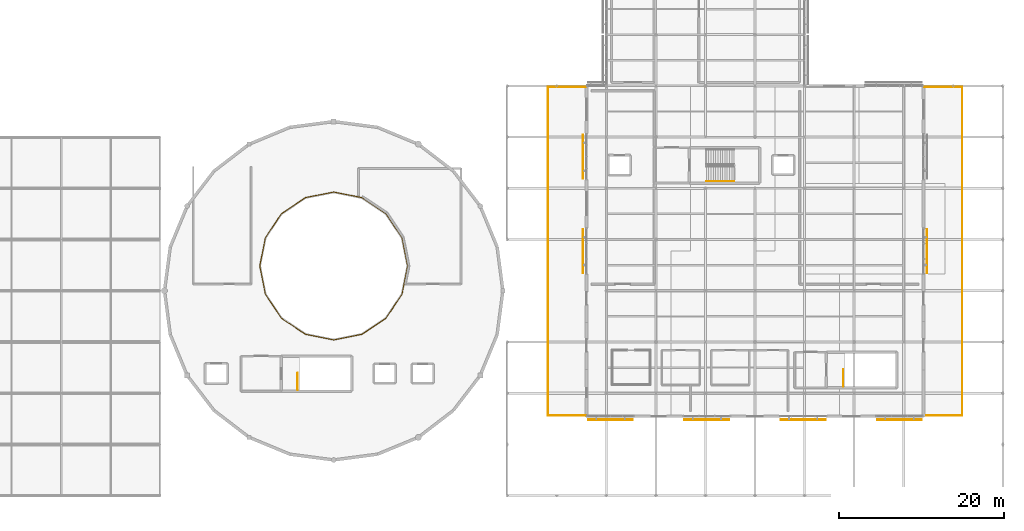
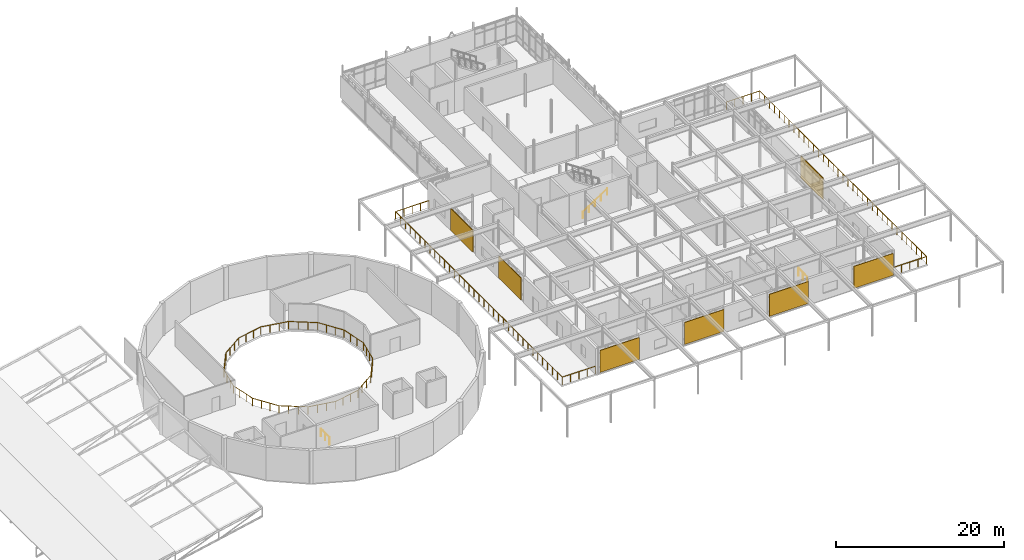
# One storey, part 45 of 48: 7 shading devices, 6 railings.
"""IFC4 building model written with IfcOpenShell, lengths in metres."""

from ifc_helpers import new_model, si_unit, direction, frame, origin, origin_2d, place, context, subcontext, project, spatial, rectangle, circle, extrude, material, layer, layer_set, type_object, element, save


model = new_model("IFC4")

# Units and contexts
model_context = context("Model", 3, precision=1e-05, world=origin(), true_north=direction((0.0, 1.0)))
body_context = subcontext(model_context, "Body", "Model", "MODEL_VIEW")
ifc_project = project(units=[si_unit("LENGTHUNIT", "METRE"), si_unit("AREAUNIT", "SQUARE_METRE"), si_unit("VOLUMEUNIT", "CUBIC_METRE"), si_unit("PLANEANGLEUNIT", "RADIAN"), si_unit("MASSUNIT", "GRAM", prefix="KILO")], contexts=[model_context])

# Site, building, storey
site_placement = place(None, origin())
site = spatial("IfcSite", under=ifc_project, at=site_placement, CompositionType="ELEMENT")
building_placement = place(site_placement, origin())
building = spatial("IfcBuilding", under=site, at=building_placement, Name="Mirzam Square Science Centre", CompositionType="ELEMENT")
storey_placement = place(building_placement, frame((0.0, 0.0, 20.39990234375)))
storey = spatial("IfcBuildingStorey", under=building, at=storey_placement, Name="L04", CompositionType="ELEMENT", Elevation=20.39990234375)

# Railings
ifc_material_1 = material(Name="Bronze-Anodised Architectural Balustrade", Category="aluminium")
railing_type_1 = type_object("IfcRailingType", Name="RL-INT-GUARD-1100", PredefinedType="GUARDRAIL", material=ifc_material_1)
railing_1_placement = place(storey_placement, frame((76.639892578125, 50.0, 0.0)))
element("IfcRailing", 1, at=railing_1_placement, inside=storey, type_object=railing_type_1, Name="L04 ST-03 top well guard 1", PredefinedType="GUARDRAIL", context=body_context, shape_type="SweptSolid", body=[
    extrude(circle(Radius=0.02392578125, at=origin_2d()), frame((0.0, 0.0, 1.076171875), z_axis=(0.0, 1.0, 0.0), x_axis=(-1.0, 0.0, 0.0)), (0.0, 0.0, 1.0), 2.0400390625),
    extrude(circle(Radius=0.02099609375, at=origin_2d()), origin(), (0.0, 0.0, 1.0), 1.052001953125),
    extrude(circle(Radius=0.02099609375, at=origin_2d()), frame((0.0, 1.02001953125, 0.0)), (0.0, 0.0, 1.0), 1.052001953125),
    extrude(circle(Radius=0.02099609375, at=origin_2d()), frame((0.0, 2.0400390625, 0.0)), (0.0, 0.0, 1.0), 1.052001953125),
])
railing_2_placement = place(storey_placement, frame((142.679931640625, 50.39990234375, 0.0)))
element("IfcRailing", 2, at=railing_2_placement, inside=storey, type_object=railing_type_1, Name="L04 ST-05 top well guard 1", PredefinedType="GUARDRAIL", context=body_context, shape_type="SweptSolid", body=[
    extrude(circle(Radius=0.02392578125, at=origin_2d()), frame((0.0, 0.0, 1.076171875), z_axis=(0.0, 1.0, 0.0), x_axis=(-1.0, 0.0, 0.0)), (0.0, 0.0, 1.0), 2.080078125),
    extrude(circle(Radius=0.02099609375, at=origin_2d()), origin(), (0.0, 0.0, 1.0), 1.052001953125),
    extrude(circle(Radius=0.02099609375, at=origin_2d()), frame((0.0, 1.0400390625, 0.0)), (0.0, 0.0, 1.0), 1.052001953125),
    extrude(circle(Radius=0.02099609375, at=origin_2d()), frame((0.0, 2.080078125, 0.0)), (0.0, 0.0, 1.0), 1.052001953125),
])
railing_3_placement = place(storey_placement, frame((89.949951171875, 65.0, 0.0)))
element("IfcRailing", 3, at=railing_3_placement, inside=storey, type_object=railing_type_1, Name="L04 rotunda oculus guard", PredefinedType="GUARDRAIL", context=body_context, shape_type="SweptSolid", body=[
    extrude(circle(Radius=0.02392578125, at=origin_2d()), frame((0.0, 0.0, 1.09619140625), z_axis=(-0.195053898644, 0.980792524759, 0.0), x_axis=(-0.980792524759, -0.195053898644, 0.0)), (0.0, 0.0, 1.0), 3.4921875),
    extrude(circle(Radius=0.02392578125, at=origin_2d()), frame((-0.68115234375, 3.425048828125, 1.09619140625), z_axis=(-0.555587219906, 0.831458261777, 0.0), x_axis=(-0.831458261777, -0.555587219906, 0.0)), (0.0, 0.0, 1.0), 3.4921875),
    extrude(circle(Radius=0.02392578125, at=origin_2d()), frame((-2.621337890625, 6.32861328125, 1.09619140625), z_axis=(-0.831458261777, 0.555587219906, 0.0), x_axis=(-0.555587219906, -0.831458261777, 0.0)), (0.0, 0.0, 1.0), 3.4921875),
    extrude(circle(Radius=0.02392578125, at=origin_2d()), frame((-5.52490234375, 8.268798828125, 1.09619140625), z_axis=(-0.980792524759, 0.195053898644, 0.0), x_axis=(-0.195053898644, -0.980792524759, 0.0)), (0.0, 0.0, 1.0), 3.4921875),
    extrude(circle(Radius=0.02392578125, at=origin_2d()), frame((-8.949951171875, 8.949951171875, 1.09619140625), z_axis=(-0.980792524759, -0.195053898644, 0.0), x_axis=(0.195053898644, -0.980792524759, 0.0)), (0.0, 0.0, 1.0), 3.4921875),
    extrude(circle(Radius=0.02392578125, at=origin_2d()), frame((-12.375, 8.268798828125, 1.09619140625), z_axis=(-0.831458261777, -0.555587219906, 0.0), x_axis=(0.555587219906, -0.831458261777, 0.0)), (0.0, 0.0, 1.0), 3.4921875),
    extrude(circle(Radius=0.02392578125, at=origin_2d()), frame((-15.278564453125, 6.32861328125, 1.09619140625), z_axis=(-0.555587219906, -0.831458261777, 0.0), x_axis=(0.831458261777, -0.555587219906, 0.0)), (0.0, 0.0, 1.0), 3.4921875),
    extrude(circle(Radius=0.02392578125, at=origin_2d()), frame((-17.21875, 3.425048828125, 1.09619140625), z_axis=(-0.195053898644, -0.980792524759, 0.0), x_axis=(0.980792524759, -0.195053898644, 0.0)), (0.0, 0.0, 1.0), 3.4921875),
    extrude(circle(Radius=0.02392578125, at=origin_2d()), frame((-17.89990234375, 0.0, 1.09619140625), z_axis=(0.195053898644, -0.980792524759, 0.0), x_axis=(0.980792524759, 0.195053898644, 0.0)), (0.0, 0.0, 1.0), 3.4921875),
    extrude(circle(Radius=0.02392578125, at=origin_2d()), frame((-17.21875, -3.425048828125, 1.09619140625), z_axis=(0.555587219906, -0.831458261777, 0.0), x_axis=(0.831458261777, 0.555587219906, 0.0)), (0.0, 0.0, 1.0), 3.4921875),
    extrude(circle(Radius=0.02392578125, at=origin_2d()), frame((-15.278564453125, -6.32861328125, 1.09619140625), z_axis=(0.831458261777, -0.555587219906, 0.0), x_axis=(0.555587219906, 0.831458261777, 0.0)), (0.0, 0.0, 1.0), 3.4921875),
    extrude(circle(Radius=0.02392578125, at=origin_2d()), frame((-12.375, -8.268798828125, 1.09619140625), z_axis=(0.980792524759, -0.195053898644, 0.0), x_axis=(0.195053898644, 0.980792524759, 0.0)), (0.0, 0.0, 1.0), 3.4921875),
    extrude(circle(Radius=0.02392578125, at=origin_2d()), frame((-8.949951171875, -8.949951171875, 1.09619140625), z_axis=(0.980792524759, 0.195053898644, 0.0), x_axis=(-0.195053898644, 0.980792524759, 0.0)), (0.0, 0.0, 1.0), 3.4921875),
    extrude(circle(Radius=0.02392578125, at=origin_2d()), frame((-5.52490234375, -8.268798828125, 1.09619140625), z_axis=(0.831458261777, 0.555587219906, 0.0), x_axis=(-0.555587219906, 0.831458261777, 0.0)), (0.0, 0.0, 1.0), 3.4921875),
    extrude(circle(Radius=0.02392578125, at=origin_2d()), frame((-2.621337890625, -6.32861328125, 1.09619140625), z_axis=(0.555587219906, 0.831458261777, 0.0), x_axis=(-0.831458261777, 0.555587219906, 0.0)), (0.0, 0.0, 1.0), 3.4921875),
    extrude(circle(Radius=0.02392578125, at=origin_2d()), frame((-0.68115234375, -3.425048828125, 1.09619140625), z_axis=(0.195045905488, 0.980794114355, 0.0), x_axis=(-0.980794114355, 0.195045905488, 0.0)), (0.0, 0.0, 1.0), 3.422119140625),
    extrude(circle(Radius=0.02099609375, at=origin_2d()), origin(), (0.0, 0.0, 1.0), 1.072021484375),
    extrude(circle(Radius=0.02099609375, at=origin_2d()), frame((-0.22705078125, 1.1416015625, 0.0)), (0.0, 0.0, 1.0), 1.072021484375),
    extrude(circle(Radius=0.02099609375, at=origin_2d()), frame((-0.4541015625, 2.283447265625, 0.0)), (0.0, 0.0, 1.0), 1.072021484375),
    extrude(circle(Radius=0.02099609375, at=origin_2d()), frame((-0.68115234375, 3.425048828125, 0.0)), (0.0, 0.0, 1.0), 1.072021484375),
    extrude(circle(Radius=0.02099609375, at=origin_2d()), frame((-1.327880859375, 4.392822265625, 0.0)), (0.0, 0.0, 1.0), 1.072021484375),
    extrude(circle(Radius=0.02099609375, at=origin_2d()), frame((-1.974609375, 5.36083984375, 0.0)), (0.0, 0.0, 1.0), 1.072021484375),
    extrude(circle(Radius=0.02099609375, at=origin_2d()), frame((-2.621337890625, 6.32861328125, 0.0)), (0.0, 0.0, 1.0), 1.072021484375),
    extrude(circle(Radius=0.02099609375, at=origin_2d()), frame((-3.589111328125, 6.975341796875, 0.0)), (0.0, 0.0, 1.0), 1.072021484375),
    extrude(circle(Radius=0.02099609375, at=origin_2d()), frame((-4.55712890625, 7.6220703125, 0.0)), (0.0, 0.0, 1.0), 1.072021484375),
    extrude(circle(Radius=0.02099609375, at=origin_2d()), frame((-5.52490234375, 8.268798828125, 0.0)), (0.0, 0.0, 1.0), 1.072021484375),
    extrude(circle(Radius=0.02099609375, at=origin_2d()), frame((-6.66650390625, 8.495849609375, 0.0)), (0.0, 0.0, 1.0), 1.072021484375),
    extrude(circle(Radius=0.02099609375, at=origin_2d()), frame((-7.808349609375, 8.722900390625, 0.0)), (0.0, 0.0, 1.0), 1.072021484375),
    extrude(circle(Radius=0.02099609375, at=origin_2d()), frame((-8.949951171875, 8.949951171875, 0.0)), (0.0, 0.0, 1.0), 1.072021484375),
    extrude(circle(Radius=0.02099609375, at=origin_2d()), frame((-10.091552734375, 8.722900390625, 0.0)), (0.0, 0.0, 1.0), 1.072021484375),
    extrude(circle(Radius=0.02099609375, at=origin_2d()), frame((-11.2333984375, 8.495849609375, 0.0)), (0.0, 0.0, 1.0), 1.072021484375),
    extrude(circle(Radius=0.02099609375, at=origin_2d()), frame((-12.375, 8.268798828125, 0.0)), (0.0, 0.0, 1.0), 1.072021484375),
    extrude(circle(Radius=0.02099609375, at=origin_2d()), frame((-13.3427734375, 7.6220703125, 0.0)), (0.0, 0.0, 1.0), 1.072021484375),
    extrude(circle(Radius=0.02099609375, at=origin_2d()), frame((-14.310791015625, 6.975341796875, 0.0)), (0.0, 0.0, 1.0), 1.072021484375),
    extrude(circle(Radius=0.02099609375, at=origin_2d()), frame((-15.278564453125, 6.32861328125, 0.0)), (0.0, 0.0, 1.0), 1.072021484375),
    extrude(circle(Radius=0.02099609375, at=origin_2d()), frame((-15.92529296875, 5.36083984375, 0.0)), (0.0, 0.0, 1.0), 1.072021484375),
    extrude(circle(Radius=0.02099609375, at=origin_2d()), frame((-16.572021484375, 4.392822265625, 0.0)), (0.0, 0.0, 1.0), 1.072021484375),
    extrude(circle(Radius=0.02099609375, at=origin_2d()), frame((-17.21875, 3.425048828125, 0.0)), (0.0, 0.0, 1.0), 1.072021484375),
    extrude(circle(Radius=0.02099609375, at=origin_2d()), frame((-17.44580078125, 2.283447265625, 0.0)), (0.0, 0.0, 1.0), 1.072021484375),
    extrude(circle(Radius=0.02099609375, at=origin_2d()), frame((-17.6728515625, 1.1416015625, 0.0)), (0.0, 0.0, 1.0), 1.072021484375),
    extrude(circle(Radius=0.02099609375, at=origin_2d()), frame((-17.89990234375, 0.0, 0.0)), (0.0, 0.0, 1.0), 1.072021484375),
    extrude(circle(Radius=0.02099609375, at=origin_2d()), frame((-17.6728515625, -1.1416015625, 0.0)), (0.0, 0.0, 1.0), 1.072021484375),
    extrude(circle(Radius=0.02099609375, at=origin_2d()), frame((-17.44580078125, -2.283447265625, 0.0)), (0.0, 0.0, 1.0), 1.072021484375),
    extrude(circle(Radius=0.02099609375, at=origin_2d()), frame((-17.21875, -3.425048828125, 0.0)), (0.0, 0.0, 1.0), 1.072021484375),
    extrude(circle(Radius=0.02099609375, at=origin_2d()), frame((-16.572021484375, -4.392822265625, 0.0)), (0.0, 0.0, 1.0), 1.072021484375),
    extrude(circle(Radius=0.02099609375, at=origin_2d()), frame((-15.92529296875, -5.36083984375, 0.0)), (0.0, 0.0, 1.0), 1.072021484375),
    extrude(circle(Radius=0.02099609375, at=origin_2d()), frame((-15.278564453125, -6.32861328125, 0.0)), (0.0, 0.0, 1.0), 1.072021484375),
    extrude(circle(Radius=0.02099609375, at=origin_2d()), frame((-14.310791015625, -6.975341796875, 0.0)), (0.0, 0.0, 1.0), 1.072021484375),
    extrude(circle(Radius=0.02099609375, at=origin_2d()), frame((-13.3427734375, -7.6220703125, 0.0)), (0.0, 0.0, 1.0), 1.072021484375),
    extrude(circle(Radius=0.02099609375, at=origin_2d()), frame((-12.375, -8.268798828125, 0.0)), (0.0, 0.0, 1.0), 1.072021484375),
    extrude(circle(Radius=0.02099609375, at=origin_2d()), frame((-11.2333984375, -8.495849609375, 0.0)), (0.0, 0.0, 1.0), 1.072021484375),
    extrude(circle(Radius=0.02099609375, at=origin_2d()), frame((-10.091552734375, -8.722900390625, 0.0)), (0.0, 0.0, 1.0), 1.072021484375),
    extrude(circle(Radius=0.02099609375, at=origin_2d()), frame((-8.949951171875, -8.949951171875, 0.0)), (0.0, 0.0, 1.0), 1.072021484375),
    extrude(circle(Radius=0.02099609375, at=origin_2d()), frame((-7.808349609375, -8.722900390625, 0.0)), (0.0, 0.0, 1.0), 1.072021484375),
    extrude(circle(Radius=0.02099609375, at=origin_2d()), frame((-6.66650390625, -8.495849609375, 0.0)), (0.0, 0.0, 1.0), 1.072021484375),
    extrude(circle(Radius=0.02099609375, at=origin_2d()), frame((-5.52490234375, -8.268798828125, 0.0)), (0.0, 0.0, 1.0), 1.072021484375),
    extrude(circle(Radius=0.02099609375, at=origin_2d()), frame((-4.55712890625, -7.6220703125, 0.0)), (0.0, 0.0, 1.0), 1.072021484375),
    extrude(circle(Radius=0.02099609375, at=origin_2d()), frame((-3.589111328125, -6.975341796875, 0.0)), (0.0, 0.0, 1.0), 1.072021484375),
    extrude(circle(Radius=0.02099609375, at=origin_2d()), frame((-2.621337890625, -6.32861328125, 0.0)), (0.0, 0.0, 1.0), 1.072021484375),
    extrude(circle(Radius=0.02099609375, at=origin_2d()), frame((-1.974609375, -5.36083984375, 0.0)), (0.0, 0.0, 1.0), 1.072021484375),
    extrude(circle(Radius=0.02099609375, at=origin_2d()), frame((-1.327880859375, -4.392822265625, 0.0)), (0.0, 0.0, 1.0), 1.072021484375),
    extrude(circle(Radius=0.02099609375, at=origin_2d()), frame((-0.68115234375, -3.425048828125, 0.0)), (0.0, 0.0, 1.0), 1.072021484375),
    extrude(circle(Radius=0.02099609375, at=origin_2d()), frame((-0.458740234375, -2.30615234375, 0.0)), (0.0, 0.0, 1.0), 1.072021484375),
    extrude(circle(Radius=0.02099609375, at=origin_2d()), frame((-0.236083984375, -1.1875, 0.0)), (0.0, 0.0, 1.0), 1.072021484375),
    extrude(circle(Radius=0.02099609375, at=origin_2d()), frame((-0.013671875, -0.068603515625, 0.0)), (0.0, 0.0, 1.0), 1.072021484375),
])
ifc_material_2 = material(Name="Brushed Bronze Tubular Handrail", Category="aluminium")
railing_type_2 = type_object("IfcRailingType", Name="RL-STAIR-HANDRAIL-900", PredefinedType="HANDRAIL", material=ifc_material_2)
railing_4_placement = place(storey_placement, frame((126.110107421875, 75.25, 0.38134765625)))
element("IfcRailing", 4, at=railing_4_placement, inside=storey, type_object=railing_type_2, Name="L04 ST-04 stair handrail 1", PredefinedType="HANDRAIL", context=body_context, shape_type="SweptSolid", body=[
    extrude(circle(Radius=0.02392578125, at=origin_2d()), frame((0.0, 0.0, 0.8759765625), z_axis=(0.834858096282, 0.0, 0.550465220583), x_axis=(0.0, 1.0, 0.0)), (0.0, 0.0, 1.0), 4.0244140625),
    extrude(circle(Radius=0.02099609375, at=origin_2d()), origin(), (0.0, 0.0, 1.0), 0.851806640625),
    extrude(circle(Radius=0.02099609375, at=origin_2d()), frame((0.83984375, 0.0, 0.5537109375)), (0.0, 0.0, 1.0), 0.851806640625),
    extrude(circle(Radius=0.02099609375, at=origin_2d()), frame((1.679931640625, 0.0, 1.107666015625)), (0.0, 0.0, 1.0), 0.851806640625),
    extrude(circle(Radius=0.02099609375, at=origin_2d()), frame((2.52001953125, 0.0, 1.66162109375)), (0.0, 0.0, 1.0), 0.851806640625),
    extrude(circle(Radius=0.02099609375, at=origin_2d()), frame((3.35986328125, 0.0, 2.21533203125)), (0.0, 0.0, 1.0), 0.851806640625),
])
railing_type_3 = type_object("IfcRailingType", Name="RL-TERR-GUARD-1100", PredefinedType="GUARDRAIL", material=ifc_material_1)
railing_5_placement = place(storey_placement, frame((111.52001953125, 46.919921875, 0.0)))
element("IfcRailing", 5, at=railing_5_placement, inside=storey, type_object=railing_type_3, Name="L04 west courtyard terrace guard", PredefinedType="GUARDRAIL", context=body_context, shape_type="SweptSolid", body=[
    extrude(circle(Radius=0.02392578125, at=origin_2d()), frame((0.0, 0.0, 1.09619140625), z_axis=(-1.0, 0.0, 0.0), x_axis=(0.0, -1.0, 0.0)), (0.0, 0.0, 1.0), 4.60009765625),
    extrude(circle(Radius=0.02392578125, at=origin_2d()), frame((-4.60009765625, 0.0, 1.09619140625), z_axis=(0.0, 1.0, 0.0), x_axis=(-1.0, 0.0, 0.0)), (0.0, 0.0, 1.0), 39.760009765625),
    extrude(circle(Radius=0.02392578125, at=origin_2d()), frame((-4.60009765625, 39.760009765625, 1.09619140625), z_axis=(1.0, 0.0, 0.0), x_axis=(0.0, 1.0, 0.0)), (0.0, 0.0, 1.0), 4.60009765625),
    extrude(circle(Radius=0.02099609375, at=origin_2d()), origin(), (0.0, 0.0, 1.0), 1.072021484375),
    extrude(circle(Radius=0.02099609375, at=origin_2d()), frame((-1.14990234375, 0.0, 0.0)), (0.0, 0.0, 1.0), 1.072021484375),
    extrude(circle(Radius=0.02099609375, at=origin_2d()), frame((-2.300048828125, 0.0, 0.0)), (0.0, 0.0, 1.0), 1.072021484375),
    extrude(circle(Radius=0.02099609375, at=origin_2d()), frame((-3.4501953125, 0.0, 0.0)), (0.0, 0.0, 1.0), 1.072021484375),
    extrude(circle(Radius=0.02099609375, at=origin_2d()), frame((-4.60009765625, 0.0, 0.0)), (0.0, 0.0, 1.0), 1.072021484375),
    extrude(circle(Radius=0.02099609375, at=origin_2d()), frame((-4.60009765625, 1.16943359375, 0.0)), (0.0, 0.0, 1.0), 1.072021484375),
    extrude(circle(Radius=0.02099609375, at=origin_2d()), frame((-4.60009765625, 2.3388671875, 0.0)), (0.0, 0.0, 1.0), 1.072021484375),
    extrude(circle(Radius=0.02099609375, at=origin_2d()), frame((-4.60009765625, 3.50830078125, 0.0)), (0.0, 0.0, 1.0), 1.072021484375),
    extrude(circle(Radius=0.02099609375, at=origin_2d()), frame((-4.60009765625, 4.677734375, 0.0)), (0.0, 0.0, 1.0), 1.072021484375),
    extrude(circle(Radius=0.02099609375, at=origin_2d()), frame((-4.60009765625, 5.84716796875, 0.0)), (0.0, 0.0, 1.0), 1.072021484375),
    extrude(circle(Radius=0.02099609375, at=origin_2d()), frame((-4.60009765625, 7.016357421875, 0.0)), (0.0, 0.0, 1.0), 1.072021484375),
    extrude(circle(Radius=0.02099609375, at=origin_2d()), frame((-4.60009765625, 8.185791015625, 0.0)), (0.0, 0.0, 1.0), 1.072021484375),
    extrude(circle(Radius=0.02099609375, at=origin_2d()), frame((-4.60009765625, 9.355224609375, 0.0)), (0.0, 0.0, 1.0), 1.072021484375),
    extrude(circle(Radius=0.02099609375, at=origin_2d()), frame((-4.60009765625, 10.524658203125, 0.0)), (0.0, 0.0, 1.0), 1.072021484375),
    extrude(circle(Radius=0.02099609375, at=origin_2d()), frame((-4.60009765625, 11.694091796875, 0.0)), (0.0, 0.0, 1.0), 1.072021484375),
    extrude(circle(Radius=0.02099609375, at=origin_2d()), frame((-4.60009765625, 12.863525390625, 0.0)), (0.0, 0.0, 1.0), 1.072021484375),
    extrude(circle(Radius=0.02099609375, at=origin_2d()), frame((-4.60009765625, 14.032958984375, 0.0)), (0.0, 0.0, 1.0), 1.072021484375),
    extrude(circle(Radius=0.02099609375, at=origin_2d()), frame((-4.60009765625, 15.202392578125, 0.0)), (0.0, 0.0, 1.0), 1.072021484375),
    extrude(circle(Radius=0.02099609375, at=origin_2d()), frame((-4.60009765625, 16.371826171875, 0.0)), (0.0, 0.0, 1.0), 1.072021484375),
    extrude(circle(Radius=0.02099609375, at=origin_2d()), frame((-4.60009765625, 17.541259765625, 0.0)), (0.0, 0.0, 1.0), 1.072021484375),
    extrude(circle(Radius=0.02099609375, at=origin_2d()), frame((-4.60009765625, 18.710693359375, 0.0)), (0.0, 0.0, 1.0), 1.072021484375),
    extrude(circle(Radius=0.02099609375, at=origin_2d()), frame((-4.60009765625, 19.8798828125, 0.0)), (0.0, 0.0, 1.0), 1.072021484375),
    extrude(circle(Radius=0.02099609375, at=origin_2d()), frame((-4.60009765625, 21.04931640625, 0.0)), (0.0, 0.0, 1.0), 1.072021484375),
    extrude(circle(Radius=0.02099609375, at=origin_2d()), frame((-4.60009765625, 22.21875, 0.0)), (0.0, 0.0, 1.0), 1.072021484375),
    extrude(circle(Radius=0.02099609375, at=origin_2d()), frame((-4.60009765625, 23.38818359375, 0.0)), (0.0, 0.0, 1.0), 1.072021484375),
    extrude(circle(Radius=0.02099609375, at=origin_2d()), frame((-4.60009765625, 24.5576171875, 0.0)), (0.0, 0.0, 1.0), 1.072021484375),
    extrude(circle(Radius=0.02099609375, at=origin_2d()), frame((-4.60009765625, 25.72705078125, 0.0)), (0.0, 0.0, 1.0), 1.072021484375),
    extrude(circle(Radius=0.02099609375, at=origin_2d()), frame((-4.60009765625, 26.896484375, 0.0)), (0.0, 0.0, 1.0), 1.072021484375),
    extrude(circle(Radius=0.02099609375, at=origin_2d()), frame((-4.60009765625, 28.06591796875, 0.0)), (0.0, 0.0, 1.0), 1.072021484375),
    extrude(circle(Radius=0.02099609375, at=origin_2d()), frame((-4.60009765625, 29.2353515625, 0.0)), (0.0, 0.0, 1.0), 1.072021484375),
    extrude(circle(Radius=0.02099609375, at=origin_2d()), frame((-4.60009765625, 30.40478515625, 0.0)), (0.0, 0.0, 1.0), 1.072021484375),
    extrude(circle(Radius=0.02099609375, at=origin_2d()), frame((-4.60009765625, 31.57421875, 0.0)), (0.0, 0.0, 1.0), 1.072021484375),
    extrude(circle(Radius=0.02099609375, at=origin_2d()), frame((-4.60009765625, 32.74365234375, 0.0)), (0.0, 0.0, 1.0), 1.072021484375),
    extrude(circle(Radius=0.02099609375, at=origin_2d()), frame((-4.60009765625, 33.912841796875, 0.0)), (0.0, 0.0, 1.0), 1.072021484375),
    extrude(circle(Radius=0.02099609375, at=origin_2d()), frame((-4.60009765625, 35.082275390625, 0.0)), (0.0, 0.0, 1.0), 1.072021484375),
    extrude(circle(Radius=0.02099609375, at=origin_2d()), frame((-4.60009765625, 36.251708984375, 0.0)), (0.0, 0.0, 1.0), 1.072021484375),
    extrude(circle(Radius=0.02099609375, at=origin_2d()), frame((-4.60009765625, 37.421142578125, 0.0)), (0.0, 0.0, 1.0), 1.072021484375),
    extrude(circle(Radius=0.02099609375, at=origin_2d()), frame((-4.60009765625, 38.590576171875, 0.0)), (0.0, 0.0, 1.0), 1.072021484375),
    extrude(circle(Radius=0.02099609375, at=origin_2d()), frame((-4.60009765625, 39.760009765625, 0.0)), (0.0, 0.0, 1.0), 1.072021484375),
    extrude(circle(Radius=0.02099609375, at=origin_2d()), frame((-3.4501953125, 39.760009765625, 0.0)), (0.0, 0.0, 1.0), 1.072021484375),
    extrude(circle(Radius=0.02099609375, at=origin_2d()), frame((-2.300048828125, 39.760009765625, 0.0)), (0.0, 0.0, 1.0), 1.072021484375),
    extrude(circle(Radius=0.02099609375, at=origin_2d()), frame((-1.14990234375, 39.760009765625, 0.0)), (0.0, 0.0, 1.0), 1.072021484375),
    extrude(circle(Radius=0.02099609375, at=origin_2d()), frame((0.0, 39.760009765625, 0.0)), (0.0, 0.0, 1.0), 1.072021484375),
])
railing_6_placement = place(storey_placement, frame((152.47998046875, 46.919921875, 0.0)))
element("IfcRailing", 6, at=railing_6_placement, inside=storey, type_object=railing_type_3, Name="L04 east terrace guard", PredefinedType="GUARDRAIL", context=body_context, shape_type="SweptSolid", body=[
    extrude(circle(Radius=0.02392578125, at=origin_2d()), frame((0.0, 0.0, 1.09619140625), z_axis=(1.0, 0.0, 0.0), x_axis=(0.0, 1.0, 0.0)), (0.0, 0.0, 1.0), 4.60009765625),
    extrude(circle(Radius=0.02392578125, at=origin_2d()), frame((4.60009765625, 0.0, 1.09619140625), z_axis=(0.0, 1.0, 0.0), x_axis=(-1.0, 0.0, 0.0)), (0.0, 0.0, 1.0), 39.760009765625),
    extrude(circle(Radius=0.02392578125, at=origin_2d()), frame((4.60009765625, 39.760009765625, 1.09619140625), z_axis=(-1.0, 0.0, 0.0), x_axis=(0.0, -1.0, 0.0)), (0.0, 0.0, 1.0), 4.60009765625),
    extrude(circle(Radius=0.02099609375, at=origin_2d()), origin(), (0.0, 0.0, 1.0), 1.072021484375),
    extrude(circle(Radius=0.02099609375, at=origin_2d()), frame((1.14990234375, 0.0, 0.0)), (0.0, 0.0, 1.0), 1.072021484375),
    extrude(circle(Radius=0.02099609375, at=origin_2d()), frame((2.300048828125, 0.0, 0.0)), (0.0, 0.0, 1.0), 1.072021484375),
    extrude(circle(Radius=0.02099609375, at=origin_2d()), frame((3.4501953125, 0.0, 0.0)), (0.0, 0.0, 1.0), 1.072021484375),
    extrude(circle(Radius=0.02099609375, at=origin_2d()), frame((4.60009765625, 0.0, 0.0)), (0.0, 0.0, 1.0), 1.072021484375),
    extrude(circle(Radius=0.02099609375, at=origin_2d()), frame((4.60009765625, 1.16943359375, 0.0)), (0.0, 0.0, 1.0), 1.072021484375),
    extrude(circle(Radius=0.02099609375, at=origin_2d()), frame((4.60009765625, 2.3388671875, 0.0)), (0.0, 0.0, 1.0), 1.072021484375),
    extrude(circle(Radius=0.02099609375, at=origin_2d()), frame((4.60009765625, 3.50830078125, 0.0)), (0.0, 0.0, 1.0), 1.072021484375),
    extrude(circle(Radius=0.02099609375, at=origin_2d()), frame((4.60009765625, 4.677734375, 0.0)), (0.0, 0.0, 1.0), 1.072021484375),
    extrude(circle(Radius=0.02099609375, at=origin_2d()), frame((4.60009765625, 5.84716796875, 0.0)), (0.0, 0.0, 1.0), 1.072021484375),
    extrude(circle(Radius=0.02099609375, at=origin_2d()), frame((4.60009765625, 7.016357421875, 0.0)), (0.0, 0.0, 1.0), 1.072021484375),
    extrude(circle(Radius=0.02099609375, at=origin_2d()), frame((4.60009765625, 8.185791015625, 0.0)), (0.0, 0.0, 1.0), 1.072021484375),
    extrude(circle(Radius=0.02099609375, at=origin_2d()), frame((4.60009765625, 9.355224609375, 0.0)), (0.0, 0.0, 1.0), 1.072021484375),
    extrude(circle(Radius=0.02099609375, at=origin_2d()), frame((4.60009765625, 10.524658203125, 0.0)), (0.0, 0.0, 1.0), 1.072021484375),
    extrude(circle(Radius=0.02099609375, at=origin_2d()), frame((4.60009765625, 11.694091796875, 0.0)), (0.0, 0.0, 1.0), 1.072021484375),
    extrude(circle(Radius=0.02099609375, at=origin_2d()), frame((4.60009765625, 12.863525390625, 0.0)), (0.0, 0.0, 1.0), 1.072021484375),
    extrude(circle(Radius=0.02099609375, at=origin_2d()), frame((4.60009765625, 14.032958984375, 0.0)), (0.0, 0.0, 1.0), 1.072021484375),
    extrude(circle(Radius=0.02099609375, at=origin_2d()), frame((4.60009765625, 15.202392578125, 0.0)), (0.0, 0.0, 1.0), 1.072021484375),
    extrude(circle(Radius=0.02099609375, at=origin_2d()), frame((4.60009765625, 16.371826171875, 0.0)), (0.0, 0.0, 1.0), 1.072021484375),
    extrude(circle(Radius=0.02099609375, at=origin_2d()), frame((4.60009765625, 17.541259765625, 0.0)), (0.0, 0.0, 1.0), 1.072021484375),
    extrude(circle(Radius=0.02099609375, at=origin_2d()), frame((4.60009765625, 18.710693359375, 0.0)), (0.0, 0.0, 1.0), 1.072021484375),
    extrude(circle(Radius=0.02099609375, at=origin_2d()), frame((4.60009765625, 19.8798828125, 0.0)), (0.0, 0.0, 1.0), 1.072021484375),
    extrude(circle(Radius=0.02099609375, at=origin_2d()), frame((4.60009765625, 21.04931640625, 0.0)), (0.0, 0.0, 1.0), 1.072021484375),
    extrude(circle(Radius=0.02099609375, at=origin_2d()), frame((4.60009765625, 22.21875, 0.0)), (0.0, 0.0, 1.0), 1.072021484375),
    extrude(circle(Radius=0.02099609375, at=origin_2d()), frame((4.60009765625, 23.38818359375, 0.0)), (0.0, 0.0, 1.0), 1.072021484375),
    extrude(circle(Radius=0.02099609375, at=origin_2d()), frame((4.60009765625, 24.5576171875, 0.0)), (0.0, 0.0, 1.0), 1.072021484375),
    extrude(circle(Radius=0.02099609375, at=origin_2d()), frame((4.60009765625, 25.72705078125, 0.0)), (0.0, 0.0, 1.0), 1.072021484375),
    extrude(circle(Radius=0.02099609375, at=origin_2d()), frame((4.60009765625, 26.896484375, 0.0)), (0.0, 0.0, 1.0), 1.072021484375),
    extrude(circle(Radius=0.02099609375, at=origin_2d()), frame((4.60009765625, 28.06591796875, 0.0)), (0.0, 0.0, 1.0), 1.072021484375),
    extrude(circle(Radius=0.02099609375, at=origin_2d()), frame((4.60009765625, 29.2353515625, 0.0)), (0.0, 0.0, 1.0), 1.072021484375),
    extrude(circle(Radius=0.02099609375, at=origin_2d()), frame((4.60009765625, 30.40478515625, 0.0)), (0.0, 0.0, 1.0), 1.072021484375),
    extrude(circle(Radius=0.02099609375, at=origin_2d()), frame((4.60009765625, 31.57421875, 0.0)), (0.0, 0.0, 1.0), 1.072021484375),
    extrude(circle(Radius=0.02099609375, at=origin_2d()), frame((4.60009765625, 32.74365234375, 0.0)), (0.0, 0.0, 1.0), 1.072021484375),
    extrude(circle(Radius=0.02099609375, at=origin_2d()), frame((4.60009765625, 33.912841796875, 0.0)), (0.0, 0.0, 1.0), 1.072021484375),
    extrude(circle(Radius=0.02099609375, at=origin_2d()), frame((4.60009765625, 35.082275390625, 0.0)), (0.0, 0.0, 1.0), 1.072021484375),
    extrude(circle(Radius=0.02099609375, at=origin_2d()), frame((4.60009765625, 36.251708984375, 0.0)), (0.0, 0.0, 1.0), 1.072021484375),
    extrude(circle(Radius=0.02099609375, at=origin_2d()), frame((4.60009765625, 37.421142578125, 0.0)), (0.0, 0.0, 1.0), 1.072021484375),
    extrude(circle(Radius=0.02099609375, at=origin_2d()), frame((4.60009765625, 38.590576171875, 0.0)), (0.0, 0.0, 1.0), 1.072021484375),
    extrude(circle(Radius=0.02099609375, at=origin_2d()), frame((4.60009765625, 39.760009765625, 0.0)), (0.0, 0.0, 1.0), 1.072021484375),
    extrude(circle(Radius=0.02099609375, at=origin_2d()), frame((3.4501953125, 39.760009765625, 0.0)), (0.0, 0.0, 1.0), 1.072021484375),
    extrude(circle(Radius=0.02099609375, at=origin_2d()), frame((2.300048828125, 39.760009765625, 0.0)), (0.0, 0.0, 1.0), 1.072021484375),
    extrude(circle(Radius=0.02099609375, at=origin_2d()), frame((1.14990234375, 39.760009765625, 0.0)), (0.0, 0.0, 1.0), 1.072021484375),
    extrude(circle(Radius=0.02099609375, at=origin_2d()), frame((0.0, 39.760009765625, 0.0)), (0.0, 0.0, 1.0), 1.072021484375),
])

# Shading devices
ifc_material_3 = material(Name="Perforated Bronze-Anodised Aluminium Brise-Soleil", Category="aluminium")
ifc_layer = layer(ifc_material_3, 0.080078125)
ifc_layer_set = layer_set([ifc_layer], Name="SHD-BRISE-BRONZE")
shading_device_type = type_object("IfcShadingDeviceType", Name="SHD-BRISE-BRONZE", PredefinedType="JALOUSIE", material=ifc_layer_set)
for number, where, z_axis, x_axis, name in (
    (7, (114.514404296875, 46.389892578125, 0.41015625), (0.0, 0.0, 1.0), (1.0, 0.0, 0.0), "L04 bronze brise-soleil screen 136"),
    (8, (126.17138671875, 46.389892578125, 0.41015625), (0.0, 0.0, 1.0), (1.0, 0.0, 0.0), "L04 bronze brise-soleil screen 137"),
    (9, (137.82861328125, 46.389892578125, 0.41015625), (0.0, 0.0, 1.0), (1.0, 0.0, 0.0), "L04 bronze brise-soleil screen 138"),
    (10, (149.485595703125, 46.389892578125, 0.41015625), (0.0, 0.0, 1.0), (1.0, 0.0, 0.0), "L04 bronze brise-soleil screen 139"),
):
    element("IfcShadingDevice", number, at=place(storey_placement, frame(where, z_axis=z_axis, x_axis=x_axis)), inside=storey, type_object=shading_device_type, Name=name, PredefinedType="JALOUSIE", context=body_context, shape_type="SweptSolid", body=[
        extrude(rectangle(XDim=5.418701171875, YDim=0.080078125, at=origin_2d()), origin(), (0.0, 0.0, 1.0), 3.199951171875),
    ])
for number, where, z_axis, x_axis, name in (
    (11, (152.81005859375, 66.800048828125, 0.41015625), (0.0, 0.0, 1.0), (0.0, 1.0, 0.0), "L04 bronze brise-soleil screen 140"),
    (12, (111.18994140625, 78.228515625, 0.41015625), (0.0, 0.0, 1.0), (0.0, -1.0, 0.0), "L04 bronze brise-soleil screen 144"),
    (13, (111.18994140625, 66.800048828125, 0.41015625), (0.0, 0.0, 1.0), (0.0, -1.0, 0.0), "L04 bronze brise-soleil screen 145"),
):
    element("IfcShadingDevice", number, at=place(storey_placement, frame(where, z_axis=z_axis, x_axis=x_axis)), inside=storey, type_object=shading_device_type, Name=name, PredefinedType="JALOUSIE", context=body_context, shape_type="SweptSolid", body=[
        extrude(rectangle(XDim=5.30419921875, YDim=0.080078125, at=origin_2d()), origin(), (0.0, 0.0, 1.0), 3.199951171875),
    ])

save(model, "model.ifc")
